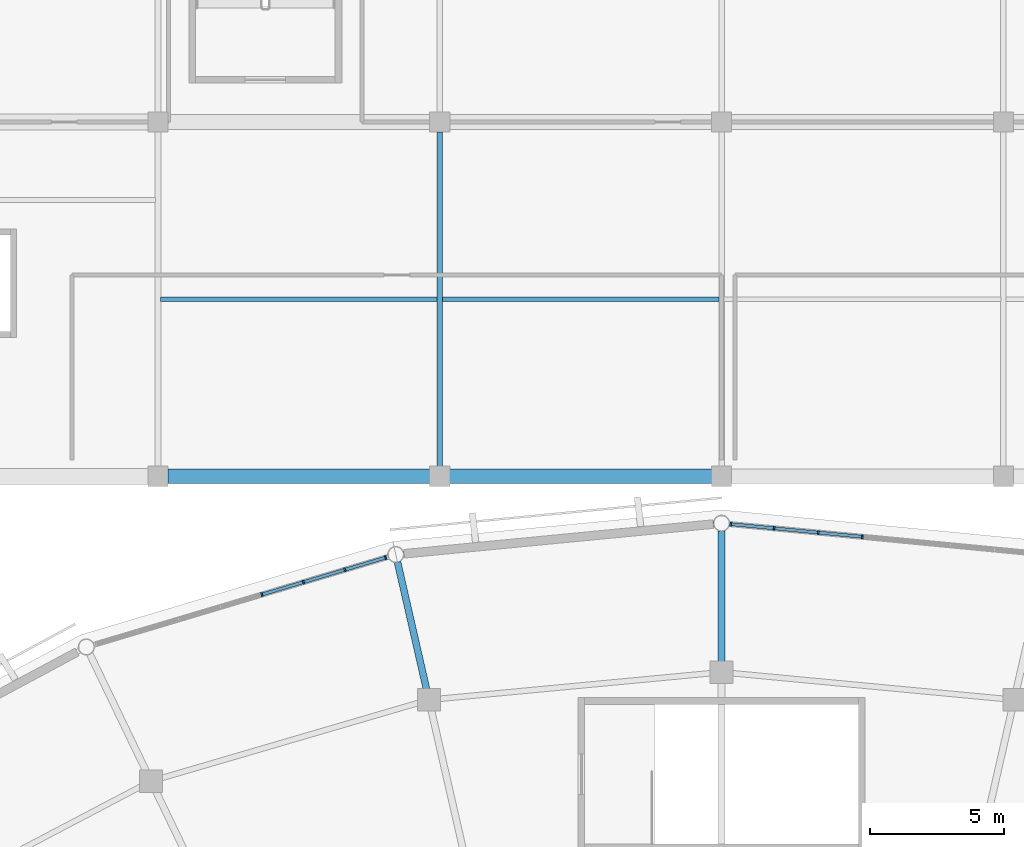
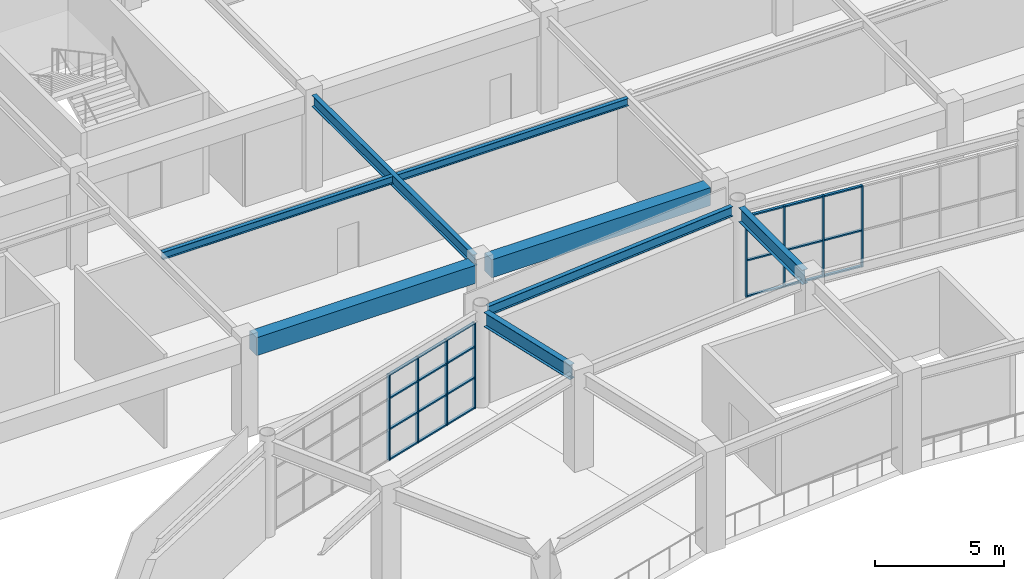
# One storey, part 46 of 112: 29 members, 8 beams, 2 elements without a shape of their own.
"""IFC4 building model written with IfcOpenShell, lengths in metres."""

import ifcopenshell
import ifcopenshell.guid

model = None  # the IFC model being written
_history = None  # IfcOwnerHistory: only IFC2X3 demands one
_inside = {}  # id of a spatial element -> (the spatial element, [elements in it])
_under = {}  # id of a project, library or spatial element -> (it, [spatial elements below it])
_declared = {}  # id of a project -> (the project, [libraries it declares])
_typed = {}  # id of a type object -> (the type object, [elements of that type])
_made_of = {}  # id of a material, layer set ... -> (it, [elements and type objects made of it])


def new_model(schema):
    """Start an empty IFC model of exactly this schema.

    Asked for "IFC4X3", IfcOpenShell would pick the latest addendum, in which some entities
    have other attributes; the version numbers below select the first issue.
    IFC2X3 requires an IfcOwnerHistory on every rooted entity: one is made here for all.
    """
    global model, _history
    if schema == "IFC4X3":
        model = ifcopenshell.file(schema_version=(4, 3, 0, 0))
    else:
        model = ifcopenshell.file(schema=schema)
    _inside.clear()
    _under.clear()
    _declared.clear()
    _typed.clear()
    _made_of.clear()
    _history = None
    if model.schema == "IFC2X3":
        org = make("IfcOrganization", Name="unknown")
        user = make(
            "IfcPersonAndOrganization",
            ThePerson=make("IfcPerson", FamilyName="unknown"),
            TheOrganization=org,
        )
        app = make(
            "IfcApplication",
            ApplicationDeveloper=org,
            Version="unknown",
            ApplicationFullName="unknown",
            ApplicationIdentifier="unknown",
        )
        _history = make(
            "IfcOwnerHistory",
            OwningUser=user,
            OwningApplication=app,
            ChangeAction="ADDED",
            CreationDate=0,
        )
    return model


def make(cls, **values):
    """One entity of the class cls with the attributes given. An attribute that is None is left unset."""
    return model.create_entity(
        cls, **{name: value for name, value in values.items() if value is not None}
    )


def rooted(cls, **values):
    """An entity with a GlobalId (a new one), such as an element, a storey or a relation."""
    return make(cls, GlobalId=ifcopenshell.guid.new(), OwnerHistory=_history, **values)


def si_unit(unit_type, name, prefix=None):
    """IfcSIUnit, for example si_unit("LENGTHUNIT", "METRE", prefix="MILLI")."""
    return make("IfcSIUnit", UnitType=unit_type, Prefix=prefix, Name=name)


def assignment(units):
    """IfcUnitAssignment: the units of a project."""
    return None if units is None else make("IfcUnitAssignment", Units=units)


def point(xyz):
    """IfcCartesianPoint."""
    return None if xyz is None else make("IfcCartesianPoint", Coordinates=xyz)


def direction(xyz):
    """IfcDirection."""
    return None if xyz is None else make("IfcDirection", DirectionRatios=xyz)


def frame(location, z_axis=None, x_axis=None):
    """IfcAxis2Placement3D, a coordinate frame: its origin and axes. An axis left out is left unset."""
    return make(
        "IfcAxis2Placement3D",
        Location=point(location),
        Axis=direction(z_axis),
        RefDirection=direction(x_axis),
    )


def frame_2d(location, x_axis=None):
    """IfcAxis2Placement2D, a coordinate frame in the plane: its origin and x axis."""
    return make(
        "IfcAxis2Placement2D", Location=point(location), RefDirection=direction(x_axis)
    )


def origin():
    """The frame at (0, 0, 0) with its axes left unset."""
    return frame((0.0, 0.0, 0.0))


def origin_2d():
    """The frame at (0, 0) in the plane with its x axis left unset."""
    return frame_2d((0.0, 0.0))


def place(relative_to, where):
    """IfcLocalPlacement: puts the frame where relative to a parent placement (None: the world)."""
    return make(
        "IfcLocalPlacement", PlacementRelTo=relative_to, RelativePlacement=where
    )


def context(
    kind, dimensions, precision=None, world=None, true_north=None, identifier=None
):
    """IfcGeometricRepresentationContext, for example the 3D "Model" context."""
    return make(
        "IfcGeometricRepresentationContext",
        ContextIdentifier=identifier,
        ContextType=kind,
        CoordinateSpaceDimension=dimensions,
        Precision=precision,
        WorldCoordinateSystem=world,
        TrueNorth=true_north,
    )


def subcontext(parent, identifier, kind, view, scale=None):
    """IfcGeometricRepresentationSubContext, for example "Body" below "Model"."""
    return make(
        "IfcGeometricRepresentationSubContext",
        ContextIdentifier=identifier,
        ContextType=kind,
        ParentContext=parent,
        TargetScale=scale,
        TargetView=view,
    )


def project(units=None, contexts=None):
    """IfcProject with its units and contexts."""
    return rooted(
        "IfcProject",
        Name="project",
        RepresentationContexts=contexts,
        UnitsInContext=assignment(units),
    )


def spatial(cls, under=None, at=None, **own):
    """A site, building, storey or space (cls), placed at a placement, below another one or the project."""
    s = rooted(cls, ObjectPlacement=at, **own)
    if under is not None:
        _under.setdefault(under.id(), (under, []))[1].append(s)
    return s


def profile(cls, at=None, kind="AREA", **sizes):
    """A parametric profile (cls). Its sizes go by their IFC names, for example OverallWidth=200.0."""
    return make(cls, ProfileType=kind, Position=at, **sizes)


def rectangle(**sizes):
    """IfcRectangleProfileDef."""
    return profile("IfcRectangleProfileDef", **sizes)


def i_section(**sizes):
    """IfcIShapeProfileDef."""
    return profile("IfcIShapeProfileDef", **sizes)


def extrude(swept, where, along, depth):
    """IfcExtrudedAreaSolid: the profile swept, set in the frame where, extruded along a direction by depth."""
    return make(
        "IfcExtrudedAreaSolid",
        SweptArea=swept,
        Position=where,
        ExtrudedDirection=direction(along),
        Depth=depth,
    )


def shape(context_of_items, identifier, shape_type, items):
    """IfcShapeRepresentation: the items that make up one representation, for example the "Body"."""
    return make(
        "IfcShapeRepresentation",
        ContextOfItems=context_of_items,
        RepresentationIdentifier=identifier,
        RepresentationType=shape_type,
        Items=items,
    )


def material(Name=None, Category=None):
    """IfcMaterial."""
    return make("IfcMaterial", Name=Name, Category=Category)


def material_profile(
    of_material, cross_section, Name=None, Category=None, Priority=None
):
    """IfcMaterialProfile: a cross section and its material."""
    return make(
        "IfcMaterialProfile",
        Name=Name,
        Material=of_material,
        Profile=cross_section,
        Priority=Priority,
        Category=Category,
    )


def profile_set(profiles, Name=None, composite=None):
    """IfcMaterialProfileSet."""
    return make(
        "IfcMaterialProfileSet",
        Name=Name,
        MaterialProfiles=profiles,
        CompositeProfile=composite,
    )


def made_of(thing, what):
    """Note that an element or type object is made of a material, layer set ...; save() writes the relation."""
    if what is not None:
        _made_of.setdefault(what.id(), (what, []))[1].append(thing)
    return thing


def type_object(cls, material=None, **own):
    """A type object (cls), such as IfcWallType, which elements share."""
    return made_of(rooted(cls, **own), material)


def element(
    cls,
    number,
    at=None,
    inside=None,
    cuts=None,
    type_object=None,
    material=None,
    context=None,
    identifier="Body",
    shape_type=None,
    held_by="IfcProductDefinitionShape",
    body=None,
    shapes=None,
    **own,
):
    """One element of the class cls, such as IfcWall. Its Tag is "e" and its number.

    at: its placement. inside: the storey or other place that contains it. cuts: it is an
    opening in that element (IfcRelVoidsElement). A single representation is given by context,
    identifier, shape_type and body (its items); several are given by shapes. held_by: the class
    of the entity that holds the representations. save() writes the other relations.
    """
    e = rooted(cls, Tag="e%d" % number, ObjectPlacement=at, **own)
    if body is not None:
        shapes = [shape(context, identifier, shape_type, body)]
    if shapes is not None:
        e.Representation = make(held_by, Representations=shapes)
    if inside is not None:
        _inside.setdefault(inside.id(), (inside, []))[1].append(e)
    if cuts is not None:
        rooted(
            "IfcRelVoidsElement", RelatingBuildingElement=cuts, RelatedOpeningElement=e
        )
    if type_object is not None:
        _typed.setdefault(type_object.id(), (type_object, []))[1].append(e)
    return made_of(e, material)


def aggregate(whole, parts):
    """IfcRelAggregates: a whole, such as a stair, and the parts it consists of."""
    return rooted("IfcRelAggregates", RelatingObject=whole, RelatedObjects=parts)


def save(model, path):
    """Write the relations noted so far, then the file.

    IfcRelAggregates (storeys below a building ...), IfcRelContainedInSpatialStructure (elements
    in a storey), IfcRelDefinesByType, IfcRelAssociatesMaterial and IfcRelDeclares: one each for
    every whole, place, type object, material and project.
    """
    for whole, parts in _under.values():
        aggregate(whole, parts)
    for where, things in _inside.values():
        rooted(
            "IfcRelContainedInSpatialStructure",
            RelatedElements=things,
            RelatingStructure=where,
        )
    for kind, things in _typed.values():
        rooted("IfcRelDefinesByType", RelatedObjects=things, RelatingType=kind)
    for what, things in _made_of.values():
        rooted("IfcRelAssociatesMaterial", RelatedObjects=things, RelatingMaterial=what)
    for by, libraries in _declared.values():
        rooted("IfcRelDeclares", RelatingContext=by, RelatedDefinitions=libraries)
    model.write(path)


model = new_model("IFC4")

# Units and contexts
model_context = context("Model", 3, precision=1e-05, world=origin(), true_north=direction((0.0, 1.0)))
body_context = subcontext(model_context, "Body", "Model", "MODEL_VIEW")
ifc_project = project(units=[si_unit("LENGTHUNIT", "METRE"), si_unit("AREAUNIT", "SQUARE_METRE"), si_unit("VOLUMEUNIT", "CUBIC_METRE"), si_unit("PLANEANGLEUNIT", "RADIAN"), si_unit("MASSUNIT", "GRAM", prefix="KILO")], contexts=[model_context])

# Site, building, storey
site_placement = place(None, origin())
site = spatial("IfcSite", under=ifc_project, at=site_placement, CompositionType="ELEMENT")
building_placement = place(site_placement, origin())
building = spatial("IfcBuilding", under=site, at=building_placement, Name="Cuetzalor Civic Arena", CompositionType="ELEMENT")
storey_placement = place(building_placement, frame((0.0, 0.0, 11.39990234375)))
storey = spatial("IfcBuildingStorey", under=building, at=storey_placement, Name="L02", CompositionType="ELEMENT", Elevation=11.39990234375)

# Beams
ifc_material_1 = material(Name="Concrete C40/50", Category="concrete")
ifc_material_profile_1 = material_profile(ifc_material_1, rectangle(XDim=0.550048828125, YDim=0.85009765625, at=origin_2d()), Name="RC 550x850")
ifc_profile_set_1 = profile_set([ifc_material_profile_1], Name="Concrete C40/50")
beam_type_1 = type_object("IfcBeamType", Name="ConcreteFrameBeam_550x850", PredefinedType="BEAM", material=ifc_profile_set_1)
for number, where, z_axis, x_axis, name in (
    (1, (-20.635009765625, 48.300048828125, 4.05517578125), (1.0, 0.0, 0.0), (0.0, 1.0, 0.0), "Frame Girder V5-L02-X0789"),
    (2, (-10.135009765625, 48.300048828125, 4.05517578125), (1.0, 0.0, 0.0), (0.0, 1.0, 0.0), "Frame Girder V5-L02-X0790"),
):
    element("IfcBeam", number, at=place(storey_placement, frame(where, z_axis=z_axis, x_axis=x_axis)), inside=storey, type_object=beam_type_1, Name=name, PredefinedType="BEAM", context=body_context, shape_type="SweptSolid", body=[
        extrude(rectangle(XDim=0.550048828125, YDim=0.85009765625, at=origin_2d()), origin(), (0.0, 0.0, 1.0), 9.77001953125),
    ])

# Curtain wall, members
ifc_material_2 = material(Name="Anodised dark bronze aluminium and low-E solar glass", Category="aluminium")
curtain_wall_type_1 = type_object("IfcCurtainWallType", Name="UnitisedCW_11550x3850", PredefinedType="USERDEFINED", material=ifc_material_2)
curtain_wall_1_placement = place(storey_placement, origin())
curtain_wall_1 = element("IfcCurtainWall", 3, at=curtain_wall_1_placement, inside=storey, type_object=curtain_wall_type_1, Name="Drum Triangle Foyer Curtain Wall L02-035", ObjectType="UNITISED CURTAIN WALL", PredefinedType="USERDEFINED")
ifc_material_3 = material(Name="Anodised dark bronze aluminium", Category="aluminium")
ifc_material_profile_2 = material_profile(ifc_material_3, rectangle(XDim=0.06494140625, YDim=0.14990234375, at=origin_2d()), Name="ALU MULLION 65x150")
ifc_profile_set_2 = profile_set([ifc_material_profile_2], Name="Anodised dark bronze aluminium")
member_type_1 = type_object("IfcMemberType", Name="CurtainWallMullion_60x150", PredefinedType="MULLION", material=ifc_profile_set_2)
member_1_placement = place(storey_placement, frame((0.345703125, 46.516845703125, 0.0), z_axis=(0.0, 0.0, 1.0), x_axis=(0.995409139996, -0.095711253324, 0.0)))
member_1 = element("IfcMember", 4, at=member_1_placement, type_object=member_type_1, Name="CW-14 mullion 1", PredefinedType="MULLION", context=body_context, shape_type="SweptSolid", body=[
    extrude(rectangle(XDim=0.06494140625, YDim=0.14990234375, at=origin_2d()), origin(), (0.0, 0.0, 1.0), 3.83203125),
])
member_2_placement = place(storey_placement, frame((1.957763671875, 46.36181640625, 0.0), z_axis=(0.0, 0.0, 1.0), x_axis=(0.995409139996, -0.095711253324, 0.0)))
member_2 = element("IfcMember", 5, at=member_2_placement, type_object=member_type_1, Name="CW-14 mullion 2", PredefinedType="MULLION", context=body_context, shape_type="SweptSolid", body=[
    extrude(rectangle(XDim=0.06494140625, YDim=0.14990234375, at=origin_2d()), origin(), (0.0, 0.0, 1.0), 3.83203125),
])
member_3_placement = place(storey_placement, frame((3.602294921875, 46.20361328125, 0.0), z_axis=(0.0, 0.0, 1.0), x_axis=(0.995409139996, -0.095711253324, 0.0)))
member_3 = element("IfcMember", 6, at=member_3_placement, type_object=member_type_1, Name="CW-14 mullion 3", PredefinedType="MULLION", context=body_context, shape_type="SweptSolid", body=[
    extrude(rectangle(XDim=0.06494140625, YDim=0.14990234375, at=origin_2d()), origin(), (0.0, 0.0, 1.0), 3.83203125),
])
member_4_placement = place(storey_placement, frame((5.2470703125, 46.04541015625, 0.0), z_axis=(0.0, 0.0, 1.0), x_axis=(0.995409139996, -0.095711253324, 0.0)))
member_4 = element("IfcMember", 7, at=member_4_placement, type_object=member_type_1, Name="CW-14 mullion 4", PredefinedType="MULLION", context=body_context, shape_type="SweptSolid", body=[
    extrude(rectangle(XDim=0.06494140625, YDim=0.14990234375, at=origin_2d()), origin(), (0.0, 0.0, 1.0), 3.83203125),
])

ifc_material_4 = material(Name="Anodised dark bronze aluminium and low-E solar glass", Category="aluminium")
curtain_wall_type_2 = type_object("IfcCurtainWallType", Name="UnitisedCW_11300x4050", PredefinedType="USERDEFINED", material=ifc_material_4)
curtain_wall_2_placement = place(storey_placement, origin())
curtain_wall_2 = element("IfcCurtainWall", 8, at=curtain_wall_2_placement, inside=storey, type_object=curtain_wall_type_2, Name="Drum Triangle Foyer Curtain Wall L02-036", ObjectType="UNITISED CURTAIN WALL", PredefinedType="USERDEFINED")
member_5_placement = place(storey_placement, frame((-17.12939453125, 43.892578125, 0.0), z_axis=(0.0, 0.0, 1.0), x_axis=(0.958193690548, 0.286120344251, 0.0)))
member_5 = element("IfcMember", 9, at=member_5_placement, type_object=member_type_1, Name="CW-15 mullion 5", PredefinedType="MULLION", context=body_context, shape_type="SweptSolid", body=[
    extrude(rectangle(XDim=0.06494140625, YDim=0.14990234375, at=origin_2d()), origin(), (0.0, 0.0, 1.0), 4.052978515625),
])
member_6_placement = place(storey_placement, frame((-15.581298828125, 44.35498046875, 0.0), z_axis=(0.0, 0.0, 1.0), x_axis=(0.958193690548, 0.286120344251, 0.0)))
member_6 = element("IfcMember", 10, at=member_6_placement, type_object=member_type_1, Name="CW-15 mullion 6", PredefinedType="MULLION", context=body_context, shape_type="SweptSolid", body=[
    extrude(rectangle(XDim=0.06494140625, YDim=0.14990234375, at=origin_2d()), origin(), (0.0, 0.0, 1.0), 4.052978515625),
])
member_7_placement = place(storey_placement, frame((-14.032958984375, 44.817138671875, 0.0), z_axis=(0.0, 0.0, 1.0), x_axis=(0.958193690548, 0.286120344251, 0.0)))
member_7 = element("IfcMember", 11, at=member_7_placement, type_object=member_type_1, Name="CW-15 mullion 7", PredefinedType="MULLION", context=body_context, shape_type="SweptSolid", body=[
    extrude(rectangle(XDim=0.06494140625, YDim=0.14990234375, at=origin_2d()), origin(), (0.0, 0.0, 1.0), 4.052978515625),
])
member_8_placement = place(storey_placement, frame((-12.51611328125, 45.270263671875, 0.0), z_axis=(0.0, 0.0, 1.0), x_axis=(0.958193690548, 0.286120344251, 0.0)))
member_8 = element("IfcMember", 12, at=member_8_placement, type_object=member_type_1, Name="CW-15 mullion 8", PredefinedType="MULLION", context=body_context, shape_type="SweptSolid", body=[
    extrude(rectangle(XDim=0.06494140625, YDim=0.14990234375, at=origin_2d()), origin(), (0.0, 0.0, 1.0), 4.052978515625),
])

# Member
ifc_material_5 = material(Name="Anodised dark bronze aluminium", Category="aluminium")
ifc_material_profile_3 = material_profile(ifc_material_5, rectangle(XDim=0.1201171875, YDim=0.06494140625, at=origin_2d()), Name="ALU TRANSOM 65x120")
ifc_profile_set_3 = profile_set([ifc_material_profile_3], Name="Anodised dark bronze aluminium")
member_type_2 = type_object("IfcMemberType", Name="CurtainWallTransom_60x120", PredefinedType="USERDEFINED", material=ifc_profile_set_3)
member_9_placement = place(storey_placement, frame((0.3779296875, 46.513671875, 0.03271484375), z_axis=(0.995416793915, -0.095631618157, 0.0), x_axis=(0.095631618157, 0.995416793915, 0.0)))
member_9 = element("IfcMember", 13, at=member_9_placement, type_object=member_type_2, Name="CW-14 transom 1.1", ObjectType="TRANSOM", PredefinedType="USERDEFINED", context=body_context, shape_type="SweptSolid", body=[
    extrude(rectangle(XDim=0.1201171875, YDim=0.06494140625, at=origin_2d()), origin(), (0.0, 0.0, 1.0), 1.5546875),
])

member_10_placement = place(storey_placement, frame((0.3779296875, 46.513671875, 1.72412109375), z_axis=(0.995416793915, -0.095631618157, 0.0), x_axis=(0.095631618157, 0.995416793915, 0.0)))
member_10 = element("IfcMember", 14, at=member_10_placement, type_object=member_type_2, Name="CW-14 transom 1.2", ObjectType="TRANSOM", PredefinedType="USERDEFINED", context=body_context, shape_type="SweptSolid", body=[
    extrude(rectangle(XDim=0.1201171875, YDim=0.06494140625, at=origin_2d()), origin(), (0.0, 0.0, 1.0), 1.5546875),
])

member_11_placement = place(storey_placement, frame((0.3779296875, 46.513671875, 3.799560546875), z_axis=(0.995416793915, -0.095631618157, 0.0), x_axis=(0.095631618157, 0.995416793915, 0.0)))
member_11 = element("IfcMember", 15, at=member_11_placement, type_object=member_type_2, Name="CW-14 transom 1.3", ObjectType="TRANSOM", PredefinedType="USERDEFINED", context=body_context, shape_type="SweptSolid", body=[
    extrude(rectangle(XDim=0.1201171875, YDim=0.06494140625, at=origin_2d()), origin(), (0.0, 0.0, 1.0), 1.5546875),
])

member_12_placement = place(storey_placement, frame((1.990234375, 46.358642578125, 0.03271484375), z_axis=(0.995412128785, -0.095680164442, 0.0), x_axis=(0.095680164442, 0.995412128785, 0.0)))
member_12 = element("IfcMember", 16, at=member_12_placement, type_object=member_type_2, Name="CW-14 transom 2.1", ObjectType="TRANSOM", PredefinedType="USERDEFINED", context=body_context, shape_type="SweptSolid", body=[
    extrude(rectangle(XDim=0.1201171875, YDim=0.06494140625, at=origin_2d()), origin(), (0.0, 0.0, 1.0), 1.587158203125),
])

member_13_placement = place(storey_placement, frame((1.990234375, 46.358642578125, 1.72412109375), z_axis=(0.995412128785, -0.095680164442, 0.0), x_axis=(0.095680164442, 0.995412128785, 0.0)))
member_13 = element("IfcMember", 17, at=member_13_placement, type_object=member_type_2, Name="CW-14 transom 2.2", ObjectType="TRANSOM", PredefinedType="USERDEFINED", context=body_context, shape_type="SweptSolid", body=[
    extrude(rectangle(XDim=0.1201171875, YDim=0.06494140625, at=origin_2d()), origin(), (0.0, 0.0, 1.0), 1.587158203125),
])

member_14_placement = place(storey_placement, frame((1.990234375, 46.358642578125, 3.799560546875), z_axis=(0.995412128785, -0.095680164442, 0.0), x_axis=(0.095680164442, 0.995412128785, 0.0)))
member_14 = element("IfcMember", 18, at=member_14_placement, type_object=member_type_2, Name="CW-14 transom 2.3", ObjectType="TRANSOM", PredefinedType="USERDEFINED", context=body_context, shape_type="SweptSolid", body=[
    extrude(rectangle(XDim=0.1201171875, YDim=0.06494140625, at=origin_2d()), origin(), (0.0, 0.0, 1.0), 1.587158203125),
])

member_15_placement = place(storey_placement, frame((3.634765625, 46.200439453125, 0.03271484375), z_axis=(0.995412128785, -0.095680164442, 0.0), x_axis=(0.095680164442, 0.995412128785, 0.0)))
member_15 = element("IfcMember", 19, at=member_15_placement, type_object=member_type_2, Name="CW-14 transom 3.1", ObjectType="TRANSOM", PredefinedType="USERDEFINED", context=body_context, shape_type="SweptSolid", body=[
    extrude(rectangle(XDim=0.1201171875, YDim=0.06494140625, at=origin_2d()), origin(), (0.0, 0.0, 1.0), 1.587158203125),
])

member_16_placement = place(storey_placement, frame((3.634765625, 46.200439453125, 1.72412109375), z_axis=(0.995412128785, -0.095680164442, 0.0), x_axis=(0.095680164442, 0.995412128785, 0.0)))
member_16 = element("IfcMember", 20, at=member_16_placement, type_object=member_type_2, Name="CW-14 transom 3.2", ObjectType="TRANSOM", PredefinedType="USERDEFINED", context=body_context, shape_type="SweptSolid", body=[
    extrude(rectangle(XDim=0.1201171875, YDim=0.06494140625, at=origin_2d()), origin(), (0.0, 0.0, 1.0), 1.587158203125),
])

member_17_placement = place(storey_placement, frame((3.634765625, 46.200439453125, 3.799560546875), z_axis=(0.995412128785, -0.095680164442, 0.0), x_axis=(0.095680164442, 0.995412128785, 0.0)))
member_17 = element("IfcMember", 21, at=member_17_placement, type_object=member_type_2, Name="CW-14 transom 3.3", ObjectType="TRANSOM", PredefinedType="USERDEFINED", context=body_context, shape_type="SweptSolid", body=[
    extrude(rectangle(XDim=0.1201171875, YDim=0.06494140625, at=origin_2d()), origin(), (0.0, 0.0, 1.0), 1.587158203125),
])

aggregate(curtain_wall_1, [member_1, member_2, member_3, member_4, member_9, member_10, member_11, member_12, member_13, member_14, member_15, member_16, member_17])

member_18_placement = place(storey_placement, frame((-17.09814453125, 43.90185546875, 0.03271484375), z_axis=(0.958163607379, 0.286221071018, 0.0), x_axis=(-0.286221071018, 0.958163607379, 0.0)))
member_18 = element("IfcMember", 22, at=member_18_placement, type_object=member_type_2, Name="CW-15 transom 5.1", ObjectType="TRANSOM", PredefinedType="USERDEFINED", context=body_context, shape_type="SweptSolid", body=[
    extrude(rectangle(XDim=0.1201171875, YDim=0.06494140625, at=origin_2d()), origin(), (0.0, 0.0, 1.0), 1.55078125),
])

member_19_placement = place(storey_placement, frame((-17.09814453125, 43.90185546875, 1.458984375), z_axis=(0.958163607379, 0.286221071018, 0.0), x_axis=(-0.286221071018, 0.958163607379, 0.0)))
member_19 = element("IfcMember", 23, at=member_19_placement, type_object=member_type_2, Name="CW-15 transom 5.2", ObjectType="TRANSOM", PredefinedType="USERDEFINED", context=body_context, shape_type="SweptSolid", body=[
    extrude(rectangle(XDim=0.1201171875, YDim=0.06494140625, at=origin_2d()), origin(), (0.0, 0.0, 1.0), 1.55078125),
])

member_20_placement = place(storey_placement, frame((-17.09814453125, 43.90185546875, 2.918212890625), z_axis=(0.958163607379, 0.286221071018, 0.0), x_axis=(-0.286221071018, 0.958163607379, 0.0)))
member_20 = element("IfcMember", 24, at=member_20_placement, type_object=member_type_2, Name="CW-15 transom 5.3", ObjectType="TRANSOM", PredefinedType="USERDEFINED", context=body_context, shape_type="SweptSolid", body=[
    extrude(rectangle(XDim=0.1201171875, YDim=0.06494140625, at=origin_2d()), origin(), (0.0, 0.0, 1.0), 1.55078125),
])

member_21_placement = place(storey_placement, frame((-17.09814453125, 43.90185546875, 4.0205078125), z_axis=(0.958163607379, 0.286221071018, 0.0), x_axis=(-0.286221071018, 0.958163607379, 0.0)))
member_21 = element("IfcMember", 25, at=member_21_placement, type_object=member_type_2, Name="CW-15 transom 5.4", ObjectType="TRANSOM", PredefinedType="USERDEFINED", context=body_context, shape_type="SweptSolid", body=[
    extrude(rectangle(XDim=0.1201171875, YDim=0.06494140625, at=origin_2d()), origin(), (0.0, 0.0, 1.0), 1.55078125),
])

member_22_placement = place(storey_placement, frame((-15.550048828125, 44.3642578125, 0.03271484375), z_axis=(0.958206775077, 0.286076521576, 0.0), x_axis=(-0.286076521576, 0.958206775077, 0.0)))
member_22 = element("IfcMember", 26, at=member_22_placement, type_object=member_type_2, Name="CW-15 transom 6.1", ObjectType="TRANSOM", PredefinedType="USERDEFINED", context=body_context, shape_type="SweptSolid", body=[
    extrude(rectangle(XDim=0.1201171875, YDim=0.06494140625, at=origin_2d()), origin(), (0.0, 0.0, 1.0), 1.550537109375),
])

member_23_placement = place(storey_placement, frame((-15.550048828125, 44.3642578125, 1.458984375), z_axis=(0.958206775077, 0.286076521576, 0.0), x_axis=(-0.286076521576, 0.958206775077, 0.0)))
member_23 = element("IfcMember", 27, at=member_23_placement, type_object=member_type_2, Name="CW-15 transom 6.2", ObjectType="TRANSOM", PredefinedType="USERDEFINED", context=body_context, shape_type="SweptSolid", body=[
    extrude(rectangle(XDim=0.1201171875, YDim=0.06494140625, at=origin_2d()), origin(), (0.0, 0.0, 1.0), 1.550537109375),
])

member_24_placement = place(storey_placement, frame((-15.550048828125, 44.3642578125, 2.918212890625), z_axis=(0.958206775077, 0.286076521576, 0.0), x_axis=(-0.286076521576, 0.958206775077, 0.0)))
member_24 = element("IfcMember", 28, at=member_24_placement, type_object=member_type_2, Name="CW-15 transom 6.3", ObjectType="TRANSOM", PredefinedType="USERDEFINED", context=body_context, shape_type="SweptSolid", body=[
    extrude(rectangle(XDim=0.1201171875, YDim=0.06494140625, at=origin_2d()), origin(), (0.0, 0.0, 1.0), 1.550537109375),
])

member_25_placement = place(storey_placement, frame((-15.550048828125, 44.3642578125, 4.0205078125), z_axis=(0.958206775077, 0.286076521576, 0.0), x_axis=(-0.286076521576, 0.958206775077, 0.0)))
member_25 = element("IfcMember", 29, at=member_25_placement, type_object=member_type_2, Name="CW-15 transom 6.4", ObjectType="TRANSOM", PredefinedType="USERDEFINED", context=body_context, shape_type="SweptSolid", body=[
    extrude(rectangle(XDim=0.1201171875, YDim=0.06494140625, at=origin_2d()), origin(), (0.0, 0.0, 1.0), 1.550537109375),
])

member_26_placement = place(storey_placement, frame((-14.001953125, 44.826416015625, 0.03271484375), z_axis=(0.958166375169, 0.286211805303, 0.0), x_axis=(-0.286211805303, 0.958166375169, 0.0)))
member_26 = element("IfcMember", 30, at=member_26_placement, type_object=member_type_2, Name="CW-15 transom 7.1", ObjectType="TRANSOM", PredefinedType="USERDEFINED", context=body_context, shape_type="SweptSolid", body=[
    extrude(rectangle(XDim=0.1201171875, YDim=0.06494140625, at=origin_2d()), origin(), (0.0, 0.0, 1.0), 1.518310546875),
])

member_27_placement = place(storey_placement, frame((-14.001953125, 44.826416015625, 1.458984375), z_axis=(0.958166375169, 0.286211805303, 0.0), x_axis=(-0.286211805303, 0.958166375169, 0.0)))
member_27 = element("IfcMember", 31, at=member_27_placement, type_object=member_type_2, Name="CW-15 transom 7.2", ObjectType="TRANSOM", PredefinedType="USERDEFINED", context=body_context, shape_type="SweptSolid", body=[
    extrude(rectangle(XDim=0.1201171875, YDim=0.06494140625, at=origin_2d()), origin(), (0.0, 0.0, 1.0), 1.518310546875),
])

member_28_placement = place(storey_placement, frame((-14.001953125, 44.826416015625, 2.918212890625), z_axis=(0.958166375169, 0.286211805303, 0.0), x_axis=(-0.286211805303, 0.958166375169, 0.0)))
member_28 = element("IfcMember", 32, at=member_28_placement, type_object=member_type_2, Name="CW-15 transom 7.3", ObjectType="TRANSOM", PredefinedType="USERDEFINED", context=body_context, shape_type="SweptSolid", body=[
    extrude(rectangle(XDim=0.1201171875, YDim=0.06494140625, at=origin_2d()), origin(), (0.0, 0.0, 1.0), 1.518310546875),
])

member_29_placement = place(storey_placement, frame((-14.001953125, 44.826416015625, 4.0205078125), z_axis=(0.958166375169, 0.286211805303, 0.0), x_axis=(-0.286211805303, 0.958166375169, 0.0)))
member_29 = element("IfcMember", 33, at=member_29_placement, type_object=member_type_2, Name="CW-15 transom 7.4", ObjectType="TRANSOM", PredefinedType="USERDEFINED", context=body_context, shape_type="SweptSolid", body=[
    extrude(rectangle(XDim=0.1201171875, YDim=0.06494140625, at=origin_2d()), origin(), (0.0, 0.0, 1.0), 1.518310546875),
])

aggregate(curtain_wall_2, [member_5, member_6, member_7, member_8, member_18, member_19, member_20, member_21, member_22, member_23, member_24, member_25, member_26, member_27, member_28, member_29])

# Beams
ifc_material_6 = material(Name="Steel S355", Category="steel")
ifc_material_profile_4 = material_profile(ifc_material_6, i_section(OverallWidth=0.18994140625, OverallDepth=0.45703125, WebThickness=0.009033203125, FlangeThickness=0.014404296875, at=origin_2d()), Name="W460x74")
ifc_profile_set_4 = profile_set([ifc_material_profile_4], Name="Steel S355")
beam_type_2 = type_object("IfcBeamType", Name="FacadeSpandrelBeam_W460", PredefinedType="SPANDREL", material=ifc_profile_set_4)
beam_1_placement = place(storey_placement, frame((-0.288818359375, 46.522216796875, 4.29150390625), z_axis=(-0.995409568272, -0.095706799095, 0.0), x_axis=(0.095706799095, -0.995409568272, 0.0)))
element("IfcBeam", 34, at=beam_1_placement, inside=storey, type_object=beam_type_2, Name="Drum Perimeter Spandrel L02-S08", PredefinedType="SPANDREL", context=body_context, shape_type="SweptSolid", body=[
    extrude(i_section(OverallWidth=0.18994140625, OverallDepth=0.45703125, WebThickness=0.009033203125, FlangeThickness=0.014404296875, at=origin_2d()), origin(), (0.0, 0.0, 1.0), 11.6142578125),
])
ifc_material_7 = material(Name="Steel S355", Category="steel")
ifc_material_profile_5 = material_profile(ifc_material_7, i_section(OverallWidth=0.1708984375, OverallDepth=0.35498046875, WebThickness=0.007080078125, FlangeThickness=0.01171875, at=origin_2d()), Name="W360x51")
ifc_profile_set_5 = profile_set([ifc_material_profile_5], Name="Steel S355")
beam_type_3 = type_object("IfcBeamType", Name="SecondaryFloorJoist_W360", PredefinedType="JOIST", material=ifc_profile_set_5)
for number, where, z_axis, x_axis, name in (
    (35, (-20.903564453125, 54.89990234375, 4.302490234375), (1.0, 0.0, 0.0), (0.0, 1.0, 0.0), "Secondary Floor Joist V5-L02-0248"),
    (36, (-10.403564453125, 54.89990234375, 4.302490234375), (1.0, 0.0, 0.0), (0.0, 1.0, 0.0), "Secondary Floor Joist V5-L02-0249"),
):
    element("IfcBeam", number, at=place(storey_placement, frame(where, z_axis=z_axis, x_axis=x_axis)), inside=storey, type_object=beam_type_3, Name=name, PredefinedType="JOIST", context=body_context, shape_type="SweptSolid", body=[
        extrude(i_section(OverallWidth=0.1708984375, OverallDepth=0.35498046875, WebThickness=0.007080078125, FlangeThickness=0.01171875, at=origin_2d()), origin(), (0.0, 0.0, 1.0), 10.30712890625),
    ])
ifc_material_8 = material(Name="Steel S355", Category="steel")
ifc_material_profile_6 = material_profile(ifc_material_8, i_section(OverallWidth=0.208984375, OverallDepth=0.532958984375, WebThickness=0.01025390625, FlangeThickness=0.015625, at=origin_2d()), Name="W530x92")
ifc_profile_set_6 = profile_set([ifc_material_profile_6], Name="Steel S355")
beam_type_4 = type_object("IfcBeamType", Name="SteelCollarGirder_W530", PredefinedType="BEAM", material=ifc_profile_set_6)
beam_2_placement = place(storey_placement, frame((-10.5, 48.6650390625, 4.213623046875), z_axis=(0.0, 1.0, 0.0), x_axis=(-1.0, 0.0, 0.0)))
element("IfcBeam", 37, at=beam_2_placement, inside=storey, type_object=beam_type_4, Name="Frame Girder V5-L02-Y0832", PredefinedType="BEAM", context=body_context, shape_type="SweptSolid", body=[
    extrude(i_section(OverallWidth=0.208984375, OverallDepth=0.532958984375, WebThickness=0.01025390625, FlangeThickness=0.015625, at=origin_2d()), origin(), (0.0, 0.0, 1.0), 12.469970703125),
])
ifc_material_9 = material(Name="Steel S355", Category="steel")
ifc_material_profile_7 = material_profile(ifc_material_9, i_section(OverallWidth=0.2529296875, OverallDepth=0.677978515625, WebThickness=0.01171875, FlangeThickness=0.016357421875, at=origin_2d()), Name="W690x125")
ifc_profile_set_7 = profile_set([ifc_material_profile_7], Name="Steel S355")
beam_type_5 = type_object("IfcBeamType", Name="SteelPrimaryGirder_W690", PredefinedType="BEAM", material=ifc_profile_set_7)
for number, where, z_axis, x_axis, name in (
    (38, (0.0, 41.360107421875, 4.18115234375), (0.0, 1.0, 0.0), (-1.0, 0.0, 0.0), "Drum Radial Girder L02-R08"),
    (39, (-10.983642578125, 40.322998046875, 4.18115234375), (-0.222519036633, 0.974928345231, 0.0), (-0.974928345231, -0.222519036633, 0.0), "Drum Radial Girder L02-R09"),
):
    element("IfcBeam", number, at=place(storey_placement, frame(where, z_axis=z_axis, x_axis=x_axis)), inside=storey, type_object=beam_type_5, Name=name, PredefinedType="BEAM", context=body_context, shape_type="SweptSolid", body=[
        extrude(i_section(OverallWidth=0.2529296875, OverallDepth=0.677978515625, WebThickness=0.01171875, FlangeThickness=0.016357421875, at=origin_2d()), origin(), (0.0, 0.0, 1.0), 4.89990234375),
    ])

save(model, "model.ifc")
